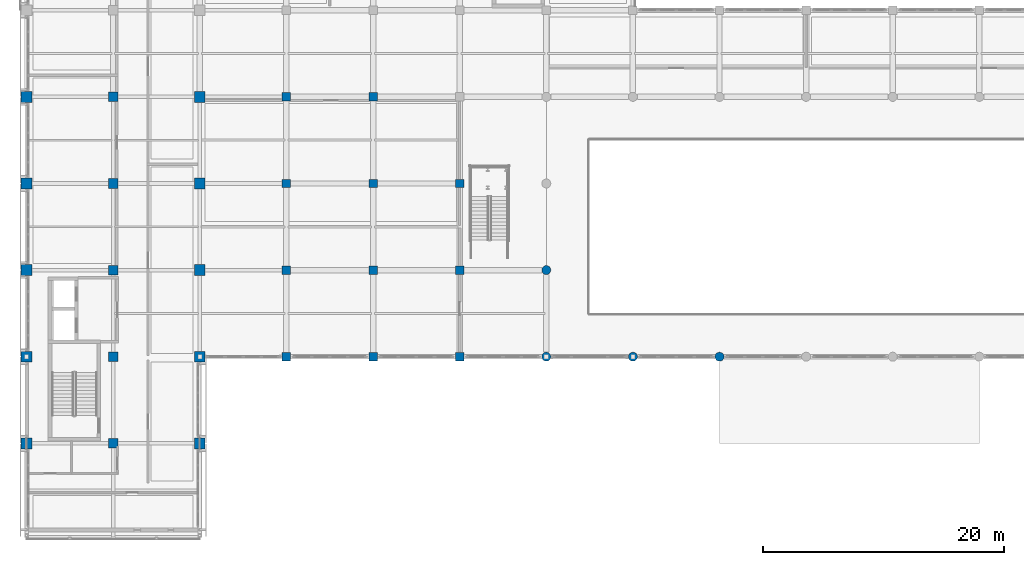
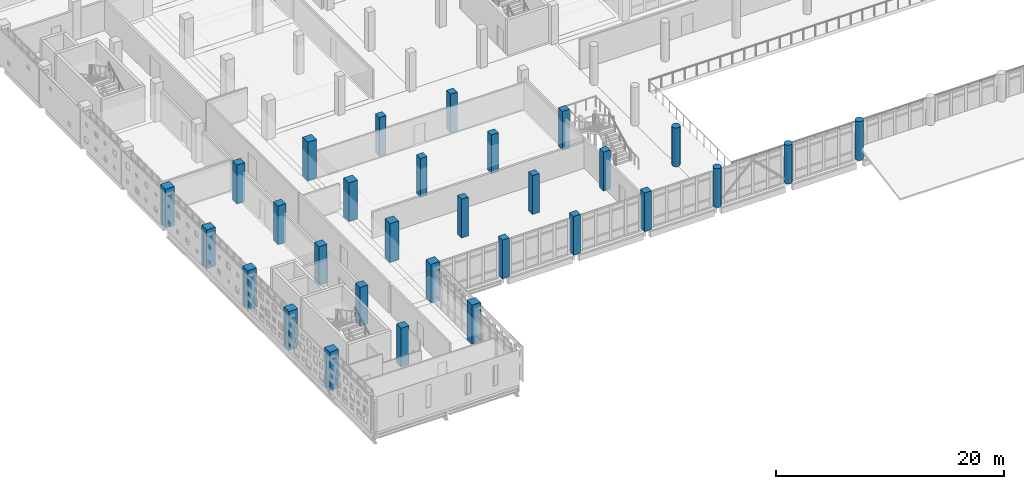
# One storey, part 1 of 57: 30 columns.
"""IFC4 building model written with IfcOpenShell, lengths in metres."""

from ifc_helpers import new_model, si_unit, direction, frame, origin, origin_2d, place, context, subcontext, project, spatial, rectangle, circle, extrude, material, material_profile, profile_set, type_object, element, save


model = new_model("IFC4")

# Units and contexts
model_context = context("Model", 3, precision=1e-05, world=origin(), true_north=direction((0.0, 1.0)))
body_context = subcontext(model_context, "Body", "Model", "MODEL_VIEW")
ifc_project = project(units=[si_unit("LENGTHUNIT", "METRE"), si_unit("AREAUNIT", "SQUARE_METRE"), si_unit("VOLUMEUNIT", "CUBIC_METRE"), si_unit("PLANEANGLEUNIT", "RADIAN"), si_unit("MASSUNIT", "GRAM", prefix="KILO")], contexts=[model_context])

# Site, building, storey
site_placement = place(None, origin())
site = spatial("IfcSite", under=ifc_project, at=site_placement, CompositionType="ELEMENT")
building_placement = place(site_placement, origin())
building = spatial("IfcBuilding", under=site, at=building_placement, Name="Valkovuoma Quantum and Materials Research Institute", CompositionType="ELEMENT")
storey_placement = place(building_placement, frame((0.0, 0.0, 4.800048828125)))
storey = spatial("IfcBuildingStorey", under=building, at=storey_placement, Name="L01", CompositionType="ELEMENT", Elevation=4.800048828125)

# Columns
ifc_material_1 = material(Name="Concrete C40/50", Category="concrete")
ifc_material_profile_1 = material_profile(ifc_material_1, rectangle(XDim=0.699951171875, YDim=0.699951171875, at=origin_2d()), Name="Concrete C40/50")
ifc_profile_set_1 = profile_set([ifc_material_profile_1], Name="Concrete C40/50")
column_type_1 = type_object("IfcColumnType", Name="Col-C-RC700", PredefinedType="COLUMN", material=ifc_profile_set_1)
for number, where, z_axis, x_axis, name in (
    (1, (21.60009765625, 36.0, 0.0), (0.0, 0.0, 1.0), (1.0, 0.0, 0.0), "L01 column 04F"),
    (2, (21.60009765625, 43.199951171875, 0.0), (0.0, 0.0, 1.0), (1.0, 0.0, 0.0), "L01 column 04G"),
    (3, (21.60009765625, 50.39990234375, 0.0), (0.0, 0.0, 1.0), (1.0, 0.0, 0.0), "L01 column 04H"),
    (4, (21.60009765625, 57.60009765625, 0.0), (0.0, 0.0, 1.0), (1.0, 0.0, 0.0), "L01 column 04J"),
    (5, (28.800048828125, 36.0, 0.0), (0.0, 0.0, 1.0), (1.0, 0.0, 0.0), "L01 column 05F"),
    (6, (28.800048828125, 43.199951171875, 0.0), (0.0, 0.0, 1.0), (1.0, 0.0, 0.0), "L01 column 05G"),
    (7, (28.800048828125, 50.39990234375, 0.0), (0.0, 0.0, 1.0), (1.0, 0.0, 0.0), "L01 column 05H"),
    (8, (28.800048828125, 57.60009765625, 0.0), (0.0, 0.0, 1.0), (1.0, 0.0, 0.0), "L01 column 05J"),
    (9, (36.0, 36.0, 0.0), (0.0, 0.0, 1.0), (1.0, 0.0, 0.0), "L01 column 06F"),
    (10, (36.0, 43.199951171875, 0.0), (0.0, 0.0, 1.0), (1.0, 0.0, 0.0), "L01 column 06G"),
    (11, (36.0, 50.39990234375, 0.0), (0.0, 0.0, 1.0), (1.0, 0.0, 0.0), "L01 column 06H"),
):
    element("IfcColumn", number, at=place(storey_placement, frame(where, z_axis=z_axis, x_axis=x_axis)), inside=storey, type_object=column_type_1, Name=name, PredefinedType="COLUMN", context=body_context, shape_type="SweptSolid", body=[
        extrude(rectangle(XDim=0.699951171875, YDim=0.699951171875, at=origin_2d()), origin(), (0.0, 0.0, 1.0), 4.159912109375),
    ])
ifc_material_2 = material(Name="Concrete C50/60", Category="concrete")
ifc_material_profile_2 = material_profile(ifc_material_2, rectangle(XDim=0.800048828125, YDim=0.800048828125, at=origin_2d()), Name="Concrete C50/60")
ifc_profile_set_2 = profile_set([ifc_material_profile_2], Name="Concrete C50/60")
column_type_2 = type_object("IfcColumnType", Name="Col-C-RC800", PredefinedType="COLUMN", material=ifc_profile_set_2)
for number, where, z_axis, x_axis, name in (
    (12, (7.199951171875, 28.800048828125, 0.0), (0.0, 0.0, 1.0), (1.0, 0.0, 0.0), "L01 column 02E"),
    (13, (7.199951171875, 36.0, 0.0), (0.0, 0.0, 1.0), (1.0, 0.0, 0.0), "L01 column 02F"),
    (14, (7.199951171875, 43.199951171875, 0.0), (0.0, 0.0, 1.0), (1.0, 0.0, 0.0), "L01 column 02G"),
    (15, (7.199951171875, 50.39990234375, 0.0), (0.0, 0.0, 1.0), (1.0, 0.0, 0.0), "L01 column 02H"),
    (16, (7.199951171875, 57.60009765625, 0.0), (0.0, 0.0, 1.0), (1.0, 0.0, 0.0), "L01 column 02J"),
):
    element("IfcColumn", number, at=place(storey_placement, frame(where, z_axis=z_axis, x_axis=x_axis)), inside=storey, type_object=column_type_2, Name=name, PredefinedType="COLUMN", context=body_context, shape_type="SweptSolid", body=[
        extrude(rectangle(XDim=0.800048828125, YDim=0.800048828125, at=origin_2d()), origin(), (0.0, 0.0, 1.0), 4.159912109375),
    ])
ifc_material_3 = material(Name="Concrete C50/60", Category="concrete")
ifc_material_profile_3 = material_profile(ifc_material_3, rectangle(XDim=0.89990234375, YDim=0.89990234375, at=origin_2d()), Name="Concrete C50/60")
ifc_profile_set_3 = profile_set([ifc_material_profile_3], Name="Concrete C50/60")
column_type_3 = type_object("IfcColumnType", Name="Col-C-RC900", PredefinedType="COLUMN", material=ifc_profile_set_3)
for number, where, z_axis, x_axis, name in (
    (17, (0.0, 28.800048828125, 0.0), (0.0, 0.0, 1.0), (1.0, 0.0, 0.0), "L01 column 01E"),
    (18, (0.0, 36.0, 0.0), (0.0, 0.0, 1.0), (1.0, 0.0, 0.0), "L01 column 01F"),
    (19, (0.0, 43.199951171875, 0.0), (0.0, 0.0, 1.0), (1.0, 0.0, 0.0), "L01 column 01G"),
    (20, (0.0, 50.39990234375, 0.0), (0.0, 0.0, 1.0), (1.0, 0.0, 0.0), "L01 column 01H"),
    (21, (0.0, 57.60009765625, 0.0), (0.0, 0.0, 1.0), (1.0, 0.0, 0.0), "L01 column 01J"),
    (22, (14.39990234375, 28.800048828125, 0.0), (0.0, 0.0, 1.0), (1.0, 0.0, 0.0), "L01 column 03E"),
    (23, (14.39990234375, 36.0, 0.0), (0.0, 0.0, 1.0), (1.0, 0.0, 0.0), "L01 column 03F"),
    (24, (14.39990234375, 43.199951171875, 0.0), (0.0, 0.0, 1.0), (1.0, 0.0, 0.0), "L01 column 03G"),
    (25, (14.39990234375, 50.39990234375, 0.0), (0.0, 0.0, 1.0), (1.0, 0.0, 0.0), "L01 column 03H"),
    (26, (14.39990234375, 57.60009765625, 0.0), (0.0, 0.0, 1.0), (1.0, 0.0, 0.0), "L01 column 03J"),
):
    element("IfcColumn", number, at=place(storey_placement, frame(where, z_axis=z_axis, x_axis=x_axis)), inside=storey, type_object=column_type_3, Name=name, PredefinedType="COLUMN", context=body_context, shape_type="SweptSolid", body=[
        extrude(rectangle(XDim=0.89990234375, YDim=0.89990234375, at=origin_2d()), origin(), (0.0, 0.0, 1.0), 4.159912109375),
    ])
ifc_material_4 = material(Name="Concrete C50/60", Category="concrete")
ifc_material_profile_4 = material_profile(ifc_material_4, circle(Radius=0.375, at=origin_2d()), Name="Concrete C50/60")
ifc_profile_set_4 = profile_set([ifc_material_profile_4], Name="Concrete C50/60")
column_type_4 = type_object("IfcColumnType", Name="Col-C-RCD750", PredefinedType="COLUMN", material=ifc_profile_set_4)
for number, where, z_axis, x_axis, name in (
    (27, (43.199951171875, 36.0, 0.0), (0.0, 0.0, 1.0), (1.0, 0.0, 0.0), "L01 column 07F"),
    (28, (43.199951171875, 43.199951171875, 0.0), (0.0, 0.0, 1.0), (1.0, 0.0, 0.0), "L01 column 07G"),
    (29, (50.39990234375, 36.0, 0.0), (0.0, 0.0, 1.0), (1.0, 0.0, 0.0), "L01 column 08F"),
    (30, (57.60009765625, 36.0, 0.0), (0.0, 0.0, 1.0), (1.0, 0.0, 0.0), "L01 column 09F"),
):
    element("IfcColumn", number, at=place(storey_placement, frame(where, z_axis=z_axis, x_axis=x_axis)), inside=storey, type_object=column_type_4, Name=name, PredefinedType="COLUMN", context=body_context, shape_type="SweptSolid", body=[
        extrude(circle(Radius=0.375, at=origin_2d()), origin(), (0.0, 0.0, 1.0), 4.159912109375),
    ])

save(model, "model.ifc")
